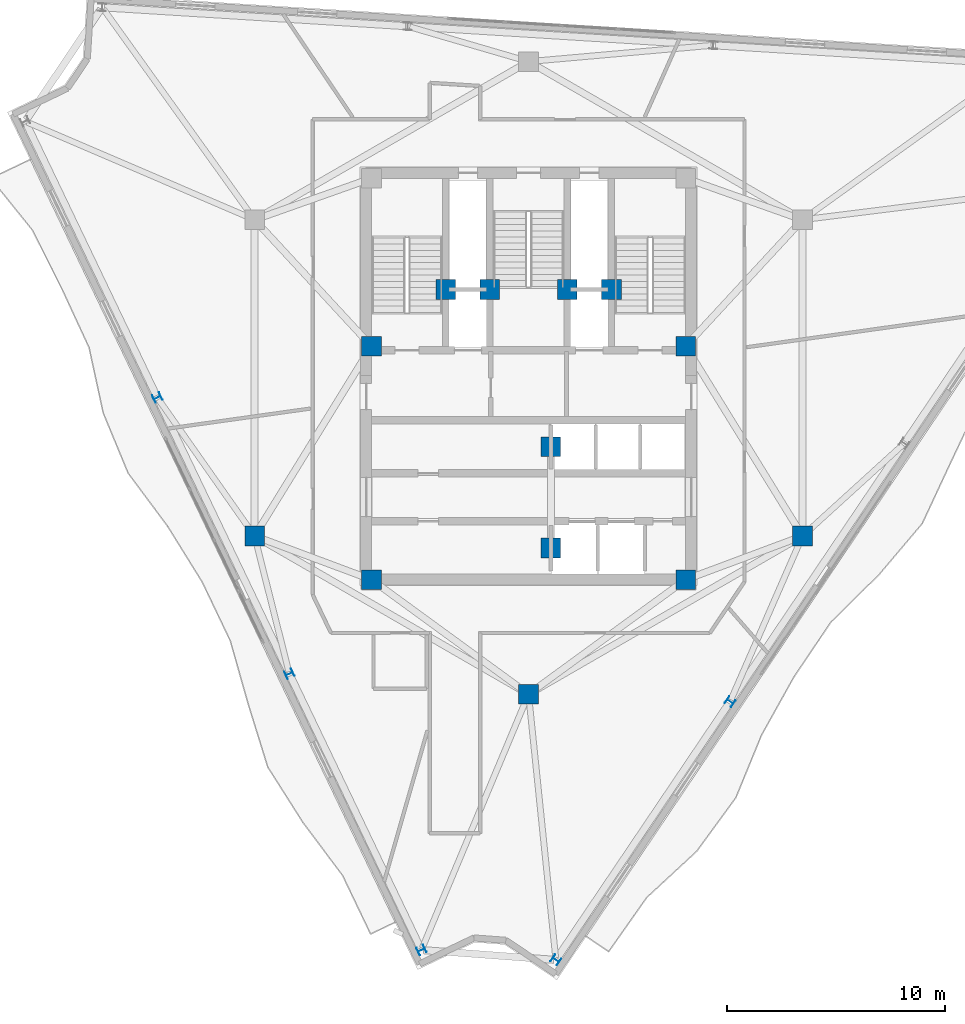
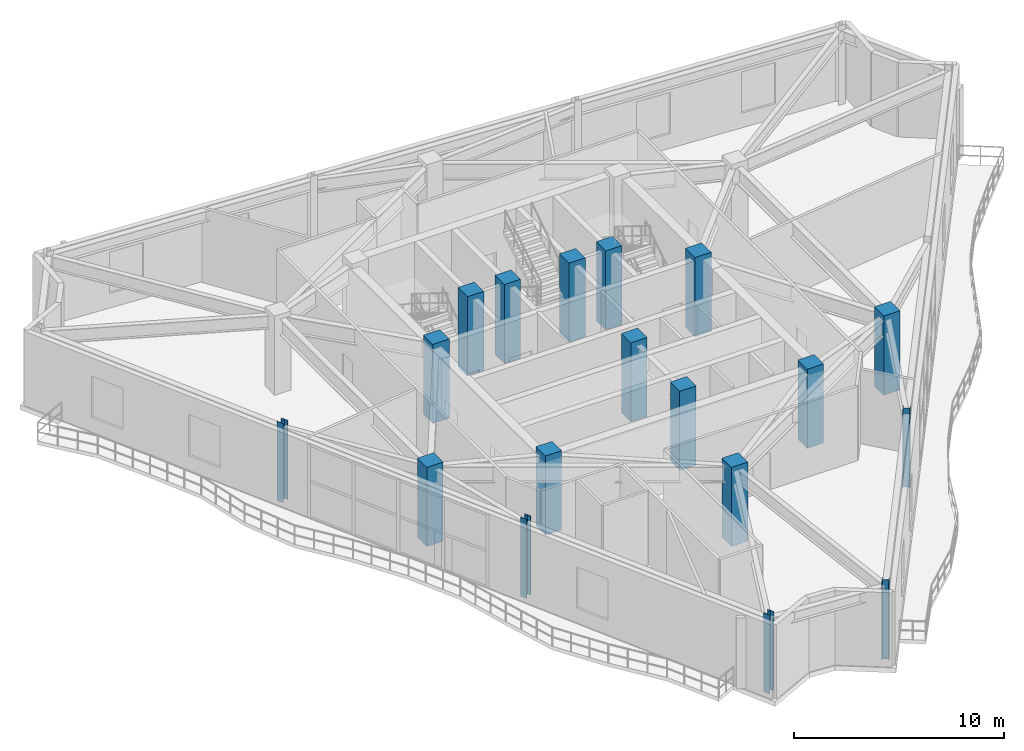
# One storey, part 1 of 15: 18 columns.
"""IFC4 building model written with IfcOpenShell, lengths in metres."""

from ifc_helpers import new_model, si_unit, direction, frame, origin, origin_2d, place, context, subcontext, project, spatial, rectangle, i_section, extrude, material, material_profile, profile_set, type_object, element, save


model = new_model("IFC4")

# Units and contexts
model_context = context("Model", 3, precision=1e-05, world=origin(), true_north=direction((0.0, 1.0)))
body_context = subcontext(model_context, "Body", "Model", "MODEL_VIEW")
ifc_project = project(units=[si_unit("LENGTHUNIT", "METRE"), si_unit("AREAUNIT", "SQUARE_METRE"), si_unit("VOLUMEUNIT", "CUBIC_METRE"), si_unit("PLANEANGLEUNIT", "RADIAN"), si_unit("MASSUNIT", "GRAM", prefix="KILO")], contexts=[model_context])

# Site, building, storey
site_placement = place(None, origin())
site = spatial("IfcSite", under=ifc_project, at=site_placement, CompositionType="ELEMENT")
building_placement = place(site_placement, origin())
building = spatial("IfcBuilding", under=site, at=building_placement, Name="Apsidion Concourse Tower", CompositionType="ELEMENT")
storey_placement = place(building_placement, frame((0.0, 0.0, 318.800048828125)))
storey = spatial("IfcBuildingStorey", under=building, at=storey_placement, Name="L75", CompositionType="ELEMENT", Elevation=318.800048828125)

# Columns
ifc_material_1 = material(Name="Concrete C50/60", Category="concrete")
ifc_material_profile_1 = material_profile(ifc_material_1, rectangle(XDim=0.89990234375, YDim=0.89990234375, at=origin_2d()), Name="RC 900x900")
ifc_profile_set_1 = profile_set([ifc_material_profile_1], Name="Concrete C50/60")
column_type_1 = type_object("IfcColumnType", Name="COL-RC-900", PredefinedType="COLUMN", material=ifc_profile_set_1)
for number, where, z_axis, x_axis, name in (
    (1, (-7.199951171875, -9.25, 0.0), (0.0, 0.0, 1.0), (1.0, 0.0, 0.0), "L75 Core Super-Column SC1"),
    (2, (7.199951171875, -9.25, 0.0), (0.0, 0.0, 1.0), (1.0, 0.0, 0.0), "L75 Core Super-Column SC2"),
    (3, (7.199951171875, 1.449951171875, 0.0), (0.0, 0.0, 1.0), (1.0, 0.0, 0.0), "L75 Core Super-Column SC3"),
    (4, (-7.199951171875, 1.449951171875, 0.0), (0.0, 0.0, 1.0), (1.0, 0.0, 0.0), "L75 Core Super-Column SC6"),
    (5, (-3.800048828125, 4.050048828125, 0.0), (0.0, 0.0, 1.0), (1.0, 0.0, 0.0), "L75 Core Super-Column CC1"),
    (6, (3.800048828125, 4.050048828125, 0.0), (0.0, 0.0, 1.0), (1.0, 0.0, 0.0), "L75 Core Super-Column CC2"),
    (7, (-1.77490234375, 4.050048828125, 0.0), (0.0, 0.0, 1.0), (1.0, 0.0, 0.0), "L75 Core Super-Column CC3"),
    (8, (1.77490234375, 4.050048828125, 0.0), (0.0, 0.0, 1.0), (1.0, 0.0, 0.0), "L75 Core Super-Column CC4"),
    (9, (1.02490234375, -3.14990234375, 0.0), (0.0, 0.0, 1.0), (1.0, 0.0, 0.0), "L75 Core Super-Column CC5"),
    (10, (1.02490234375, -7.800048828125, 0.0), (0.0, 0.0, 1.0), (1.0, 0.0, 0.0), "L75 Core Super-Column CC6"),
    (11, (-12.56005859375, -7.25, 0.0), (0.0, 0.0, 1.0), (1.0, 0.0, 0.0), "L75 Interior Spine Column IC1"),
    (12, (12.56005859375, -7.25, 0.0), (0.0, 0.0, 1.0), (1.0, 0.0, 0.0), "L75 Interior Spine Column IC2"),
    (13, (0.0, -14.5, 0.0), (0.0, 0.0, 1.0), (1.0, 0.0, 0.0), "L75 Interior Spine Column IC6"),
):
    element("IfcColumn", number, at=place(storey_placement, frame(where, z_axis=z_axis, x_axis=x_axis)), inside=storey, type_object=column_type_1, Name=name, PredefinedType="COLUMN", context=body_context, shape_type="SweptSolid", body=[
        extrude(rectangle(XDim=0.89990234375, YDim=0.89990234375, at=origin_2d()), origin(), (0.0, 0.0, 1.0), 4.599853515625),
    ])
ifc_material_2 = material(Name="Structural steel ASTM A992 Grade 50", Category="steel")
ifc_material_profile_2 = material_profile(ifc_material_2, i_section(OverallWidth=0.367919921875, OverallDepth=0.35595703125, WebThickness=0.01123046875, FlangeThickness=0.01806640625, at=origin_2d()), Name="W14X90")
ifc_profile_set_2 = profile_set([ifc_material_profile_2], Name="Structural steel ASTM A992 Grade 50")
column_type_2 = type_object("IfcColumnType", Name="COL-W14-90", PredefinedType="COLUMN", material=ifc_profile_set_2)
for number, where, z_axis, x_axis, name in (
    (14, (-17.019287109375, -0.9033203125, 0.0), (0.0, 0.0, 1.0), (-0.431298587031, 0.902209248913, 0.0), "L75 Rotated Perimeter Column PC02"),
    (15, (-10.965576171875, -13.56494140625, 0.0), (0.0, 0.0, 1.0), (-0.431298587031, 0.902209248913, 0.0), "L75 Rotated Perimeter Column PC03"),
    (16, (-4.91162109375, -26.226806640625, 0.0), (0.0, 0.0, 1.0), (-0.431298587031, 0.902209248913, 0.0), "L75 Rotated Perimeter Column PC04"),
    (17, (1.25390625, -26.681884765625, 0.0), (0.0, 0.0, 1.0), (0.559192903471, 0.829037572555, 0.0), "L75 Rotated Perimeter Column PC05"),
    (18, (9.239013671875, -14.84375, 0.0), (0.0, 0.0, 1.0), (0.559192903471, 0.829037572555, 0.0), "L75 Rotated Perimeter Column PC06"),
):
    element("IfcColumn", number, at=place(storey_placement, frame(where, z_axis=z_axis, x_axis=x_axis)), inside=storey, type_object=column_type_2, Name=name, PredefinedType="COLUMN", context=body_context, shape_type="SweptSolid", body=[
        extrude(i_section(OverallWidth=0.367919921875, OverallDepth=0.35595703125, WebThickness=0.01123046875, FlangeThickness=0.01806640625, at=origin_2d()), origin(), (0.0, 0.0, 1.0), 4.599853515625),
    ])

save(model, "model.ifc")
